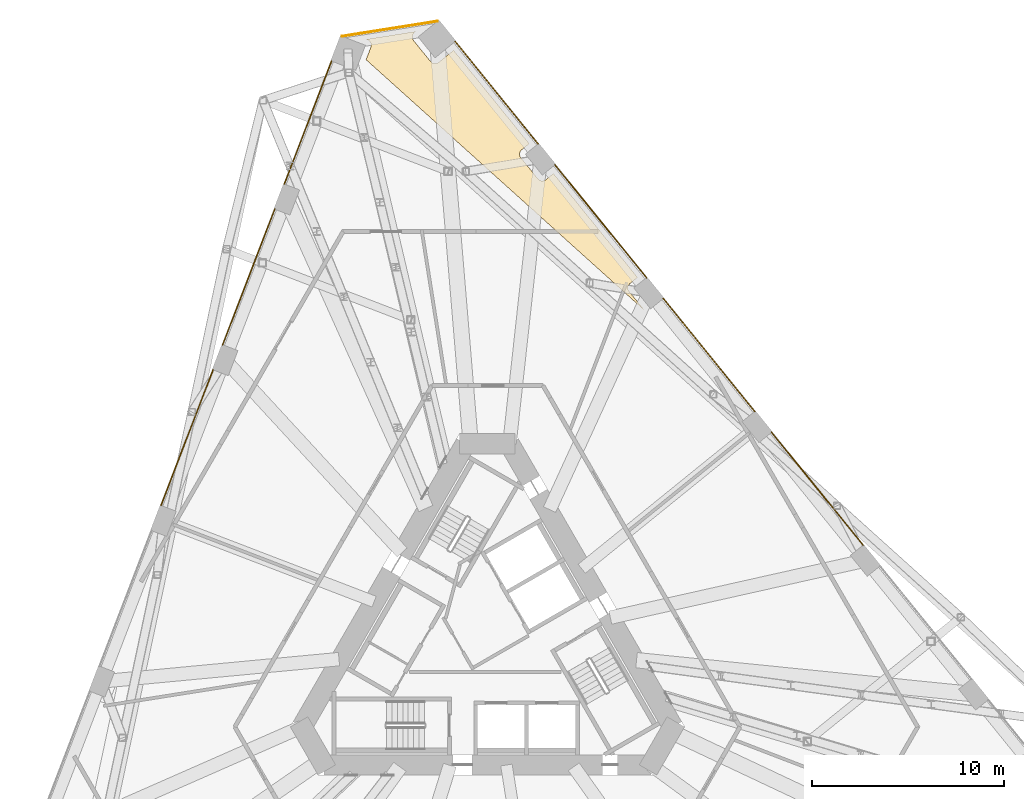
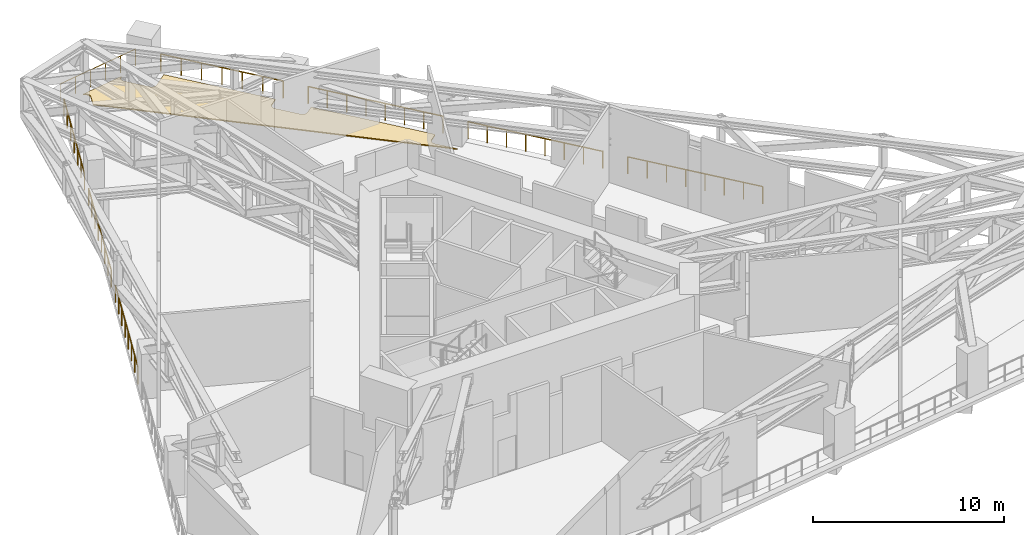
# One storey, part 20 of 20: 8 railings, 2 coverings.
"""IFC4 building model written with IfcOpenShell, lengths in metres."""

from ifc_helpers import new_model, si_unit, direction, frame, origin, origin_2d, place, context, subcontext, project, spatial, polyline, circle, outline, extrude, material, layer, layer_set, type_object, element, save


model = new_model("IFC4")

# Units and contexts
model_context = context("Model", 3, precision=1e-05, world=origin(), true_north=direction((0.0, 1.0)))
body_context = subcontext(model_context, "Body", "Model", "MODEL_VIEW")
ifc_project = project(units=[si_unit("LENGTHUNIT", "METRE"), si_unit("AREAUNIT", "SQUARE_METRE"), si_unit("VOLUMEUNIT", "CUBIC_METRE"), si_unit("PLANEANGLEUNIT", "RADIAN"), si_unit("MASSUNIT", "GRAM", prefix="KILO")], contexts=[model_context])

# Site, building, storey
site_placement = place(None, origin())
site = spatial("IfcSite", under=ifc_project, at=site_placement, CompositionType="ELEMENT")
building_placement = place(site_placement, origin())
building = spatial("IfcBuilding", under=site, at=building_placement, Name="Tramontana Tower", CompositionType="ELEMENT")
storey_placement = place(building_placement, frame((0.0, 0.0, 83.199951171875)))
storey = spatial("IfcBuildingStorey", under=building, at=storey_placement, Name="L18", CompositionType="ELEMENT", Elevation=83.199951171875)

# Railings
ifc_material_1 = material(Name="Stainless steel rail and posts", Category="steel")
railing_type = type_object("IfcRailingType", Name="GD2 Terrace guard 1100", PredefinedType="GUARDRAIL", material=ifc_material_1)
for number, where, name in (
    (1, (-14.268310546875, 14.31298828125, 0.0), "Edge guard L18 6"),
    (2, (-11.061279296875, 22.66748046875, 0.0), "Edge guard L18 8"),
):
    element("IfcRailing", number, at=place(storey_placement, frame(where)), inside=storey, type_object=railing_type, Name=name, PredefinedType="GUARDRAIL", context=body_context, shape_type="SweptSolid", body=[
        extrude(circle(Radius=0.02392578125, at=origin_2d()), frame((0.0, 0.0, 1.076171875), z_axis=(-0.358367862182, -0.933580460033, 0.0), x_axis=(0.933580460033, -0.358367862182, 0.0)), (0.0, 0.0, 1.0), 7.549072265625),
        extrude(circle(Radius=0.02099609375, at=origin_2d()), origin(), (0.0, 0.0, 1.0), 1.052001953125),
        extrude(circle(Radius=0.02099609375, at=origin_2d()), frame((-0.386474609375, -1.0068359375, 0.0)), (0.0, 0.0, 1.0), 1.052001953125),
        extrude(circle(Radius=0.02099609375, at=origin_2d()), frame((-0.77294921875, -2.013671875, 0.0)), (0.0, 0.0, 1.0), 1.052001953125),
        extrude(circle(Radius=0.02099609375, at=origin_2d()), frame((-1.159423828125, -3.0205078125, 0.0)), (0.0, 0.0, 1.0), 1.052001953125),
        extrude(circle(Radius=0.02099609375, at=origin_2d()), frame((-1.5458984375, -4.027099609375, 0.0)), (0.0, 0.0, 1.0), 1.052001953125),
        extrude(circle(Radius=0.02099609375, at=origin_2d()), frame((-1.932373046875, -5.033935546875, 0.0)), (0.0, 0.0, 1.0), 1.052001953125),
        extrude(circle(Radius=0.02099609375, at=origin_2d()), frame((-2.31884765625, -6.040771484375, 0.0)), (0.0, 0.0, 1.0), 1.052001953125),
        extrude(circle(Radius=0.02099609375, at=origin_2d()), frame((-2.705322265625, -7.047607421875, 0.0)), (0.0, 0.0, 1.0), 1.052001953125),
    ])
railing_1_placement = place(storey_placement, frame((-8.105224609375, 30.368408203125, 0.0)))
element("IfcRailing", 3, at=railing_1_placement, inside=storey, type_object=railing_type, Name="Edge guard L18 9", PredefinedType="GUARDRAIL", context=body_context, shape_type="SweptSolid", body=[
    extrude(circle(Radius=0.02392578125, at=origin_2d()), frame((0.0, 0.0, 1.076171875), z_axis=(-0.358355550725, -0.933585185864, 0.0), x_axis=(0.933585185864, -0.358355550725, 0.0)), (0.0, 0.0, 1.0), 6.848876953125),
    extrude(circle(Radius=0.02099609375, at=origin_2d()), origin(), (0.0, 0.0, 1.0), 1.052001953125),
    extrude(circle(Radius=0.02099609375, at=origin_2d()), frame((-0.4091796875, -1.065673828125, 0.0)), (0.0, 0.0, 1.0), 1.052001953125),
    extrude(circle(Radius=0.02099609375, at=origin_2d()), frame((-0.818115234375, -2.13134765625, 0.0)), (0.0, 0.0, 1.0), 1.052001953125),
    extrude(circle(Radius=0.02099609375, at=origin_2d()), frame((-1.22705078125, -3.197021484375, 0.0)), (0.0, 0.0, 1.0), 1.052001953125),
    extrude(circle(Radius=0.02099609375, at=origin_2d()), frame((-1.63623046875, -4.2626953125, 0.0)), (0.0, 0.0, 1.0), 1.052001953125),
    extrude(circle(Radius=0.02099609375, at=origin_2d()), frame((-2.04541015625, -5.328369140625, 0.0)), (0.0, 0.0, 1.0), 1.052001953125),
    extrude(circle(Radius=0.02099609375, at=origin_2d()), frame((-2.454345703125, -6.39404296875, 0.0)), (0.0, 0.0, 1.0), 1.052001953125),
])
railing_2_placement = place(storey_placement, frame((-2.595703125, 32.443359375, 0.0)))
element("IfcRailing", 4, at=railing_2_placement, inside=storey, type_object=railing_type, Name="Edge guard L18 10", PredefinedType="GUARDRAIL", context=body_context, shape_type="SweptSolid", body=[
    extrude(circle(Radius=0.02392578125, at=origin_2d()), frame((0.0, 0.0, 1.076171875), z_axis=(-0.987692322066, -0.156409324955, 0.0), x_axis=(0.156409324955, -0.987692322066, 0.0)), (0.0, 0.0, 1.0), 5.02294921875),
    extrude(circle(Radius=0.02099609375, at=origin_2d()), origin(), (0.0, 0.0, 1.0), 1.052001953125),
    extrude(circle(Radius=0.02099609375, at=origin_2d()), frame((-0.9921875, -0.1572265625, 0.0)), (0.0, 0.0, 1.0), 1.052001953125),
    extrude(circle(Radius=0.02099609375, at=origin_2d()), frame((-1.984375, -0.314208984375, 0.0)), (0.0, 0.0, 1.0), 1.052001953125),
    extrude(circle(Radius=0.02099609375, at=origin_2d()), frame((-2.976806640625, -0.471435546875, 0.0)), (0.0, 0.0, 1.0), 1.052001953125),
    extrude(circle(Radius=0.02099609375, at=origin_2d()), frame((-3.968994140625, -0.62841796875, 0.0)), (0.0, 0.0, 1.0), 1.052001953125),
    extrude(circle(Radius=0.02099609375, at=origin_2d()), frame((-4.961181640625, -0.78564453125, 0.0)), (0.0, 0.0, 1.0), 1.052001953125),
])
railing_3_placement = place(storey_placement, frame((2.63427734375, 26.064208984375, 0.0)))
element("IfcRailing", 5, at=railing_3_placement, inside=storey, type_object=railing_type, Name="Edge guard L18 12", PredefinedType="GUARDRAIL", context=body_context, shape_type="SweptSolid", body=[
    extrude(circle(Radius=0.02392578125, at=origin_2d()), frame((0.0, 0.0, 1.076171875), z_axis=(-0.62931820134, 0.777147734644, 0.0), x_axis=(-0.777147734644, -0.62931820134, 0.0)), (0.0, 0.0, 1.0), 6.848876953125),
    extrude(circle(Radius=0.02099609375, at=origin_2d()), origin(), (0.0, 0.0, 1.0), 1.052001953125),
    extrude(circle(Radius=0.02099609375, at=origin_2d()), frame((-0.71826171875, 0.88720703125, 0.0)), (0.0, 0.0, 1.0), 1.052001953125),
    extrude(circle(Radius=0.02099609375, at=origin_2d()), frame((-1.436767578125, 1.774169921875, 0.0)), (0.0, 0.0, 1.0), 1.052001953125),
    extrude(circle(Radius=0.02099609375, at=origin_2d()), frame((-2.155029296875, 2.6611328125, 0.0)), (0.0, 0.0, 1.0), 1.052001953125),
    extrude(circle(Radius=0.02099609375, at=origin_2d()), frame((-2.873291015625, 3.54833984375, 0.0)), (0.0, 0.0, 1.0), 1.052001953125),
    extrude(circle(Radius=0.02099609375, at=origin_2d()), frame((-3.591796875, 4.435546875, 0.0)), (0.0, 0.0, 1.0), 1.052001953125),
    extrude(circle(Radius=0.02099609375, at=origin_2d()), frame((-4.31005859375, 5.322509765625, 0.0)), (0.0, 0.0, 1.0), 1.052001953125),
])
railing_4_placement = place(storey_placement, frame((8.26611328125, 19.109619140625, 0.0)))
element("IfcRailing", 6, at=railing_4_placement, inside=storey, type_object=railing_type, Name="Edge guard L18 13", PredefinedType="GUARDRAIL", context=body_context, shape_type="SweptSolid", body=[
    extrude(circle(Radius=0.02392578125, at=origin_2d()), frame((0.0, 0.0, 1.076171875), z_axis=(-0.629318236282, 0.777147706349, 0.0), x_axis=(-0.777147706349, -0.629318236282, 0.0)), (0.0, 0.0, 1.0), 7.549072265625),
    extrude(circle(Radius=0.02099609375, at=origin_2d()), origin(), (0.0, 0.0, 1.0), 1.052001953125),
    extrude(circle(Radius=0.02099609375, at=origin_2d()), frame((-0.6787109375, 0.838134765625, 0.0)), (0.0, 0.0, 1.0), 1.052001953125),
    extrude(circle(Radius=0.02099609375, at=origin_2d()), frame((-1.357421875, 1.67626953125, 0.0)), (0.0, 0.0, 1.0), 1.052001953125),
    extrude(circle(Radius=0.02099609375, at=origin_2d()), frame((-2.0361328125, 2.514404296875, 0.0)), (0.0, 0.0, 1.0), 1.052001953125),
    extrude(circle(Radius=0.02099609375, at=origin_2d()), frame((-2.714599609375, 3.352294921875, 0.0)), (0.0, 0.0, 1.0), 1.052001953125),
    extrude(circle(Radius=0.02099609375, at=origin_2d()), frame((-3.393310546875, 4.1904296875, 0.0)), (0.0, 0.0, 1.0), 1.052001953125),
    extrude(circle(Radius=0.02099609375, at=origin_2d()), frame((-4.072021484375, 5.028564453125, 0.0)), (0.0, 0.0, 1.0), 1.052001953125),
    extrude(circle(Radius=0.02099609375, at=origin_2d()), frame((-4.750732421875, 5.86669921875, 0.0)), (0.0, 0.0, 1.0), 1.052001953125),
])
railing_5_placement = place(storey_placement, frame((13.897705078125, 12.155029296875, 0.0)))
element("IfcRailing", 7, at=railing_5_placement, inside=storey, type_object=railing_type, Name="Edge guard L18 15", PredefinedType="GUARDRAIL", context=body_context, shape_type="SweptSolid", body=[
    extrude(circle(Radius=0.02392578125, at=origin_2d()), frame((0.0, 0.0, 1.076171875), z_axis=(-0.62931452063, 0.777150715193, 0.0), x_axis=(-0.777150715193, -0.62931452063, 0.0)), (0.0, 0.0, 1.0), 7.548583984375),
    extrude(circle(Radius=0.02099609375, at=origin_2d()), origin(), (0.0, 0.0, 1.0), 1.052001953125),
    extrude(circle(Radius=0.02099609375, at=origin_2d()), frame((-0.6787109375, 0.838134765625, 0.0)), (0.0, 0.0, 1.0), 1.052001953125),
    extrude(circle(Radius=0.02099609375, at=origin_2d()), frame((-1.357177734375, 1.676025390625, 0.0)), (0.0, 0.0, 1.0), 1.052001953125),
    extrude(circle(Radius=0.02099609375, at=origin_2d()), frame((-2.035888671875, 2.51416015625, 0.0)), (0.0, 0.0, 1.0), 1.052001953125),
    extrude(circle(Radius=0.02099609375, at=origin_2d()), frame((-2.714599609375, 3.352294921875, 0.0)), (0.0, 0.0, 1.0), 1.052001953125),
    extrude(circle(Radius=0.02099609375, at=origin_2d()), frame((-3.393310546875, 4.1904296875, 0.0)), (0.0, 0.0, 1.0), 1.052001953125),
    extrude(circle(Radius=0.02099609375, at=origin_2d()), frame((-4.07177734375, 5.0283203125, 0.0)), (0.0, 0.0, 1.0), 1.052001953125),
    extrude(circle(Radius=0.02099609375, at=origin_2d()), frame((-4.75048828125, 5.866455078125, 0.0)), (0.0, 0.0, 1.0), 1.052001953125),
])
railing_6_placement = place(storey_placement, frame((19.529541015625, 5.200439453125, 0.0)))
element("IfcRailing", 8, at=railing_6_placement, inside=storey, type_object=railing_type, Name="Edge guard L18 17", PredefinedType="GUARDRAIL", context=body_context, shape_type="SweptSolid", body=[
    extrude(circle(Radius=0.02392578125, at=origin_2d()), frame((0.0, 0.0, 1.076171875), z_axis=(-0.629334053533, 0.777134897597, 0.0), x_axis=(-0.777134897597, -0.629334053533, 0.0)), (0.0, 0.0, 1.0), 7.548828125),
    extrude(circle(Radius=0.02099609375, at=origin_2d()), origin(), (0.0, 0.0, 1.0), 1.052001953125),
    extrude(circle(Radius=0.02099609375, at=origin_2d()), frame((-0.6787109375, 0.838134765625, 0.0)), (0.0, 0.0, 1.0), 1.052001953125),
    extrude(circle(Radius=0.02099609375, at=origin_2d()), frame((-1.357421875, 1.676025390625, 0.0)), (0.0, 0.0, 1.0), 1.052001953125),
    extrude(circle(Radius=0.02099609375, at=origin_2d()), frame((-2.0361328125, 2.51416015625, 0.0)), (0.0, 0.0, 1.0), 1.052001953125),
    extrude(circle(Radius=0.02099609375, at=origin_2d()), frame((-2.714599609375, 3.352294921875, 0.0)), (0.0, 0.0, 1.0), 1.052001953125),
    extrude(circle(Radius=0.02099609375, at=origin_2d()), frame((-3.393310546875, 4.1904296875, 0.0)), (0.0, 0.0, 1.0), 1.052001953125),
    extrude(circle(Radius=0.02099609375, at=origin_2d()), frame((-4.072021484375, 5.0283203125, 0.0)), (0.0, 0.0, 1.0), 1.052001953125),
    extrude(circle(Radius=0.02099609375, at=origin_2d()), frame((-4.750732421875, 5.866455078125, 0.0)), (0.0, 0.0, 1.0), 1.052001953125),
])

# Coverings
ifc_material_2 = material(Name="Limestone paving 60", Category="masonry")
ifc_layer_1 = layer(ifc_material_2, 0.06005859375)
ifc_layer_set_1 = layer_set([ifc_layer_1], Name="PV1 Terrace paving 60")
covering_type_1 = type_object("IfcCoveringType", Name="PV1 Terrace paving 60", PredefinedType="FLOORING", material=ifc_layer_set_1)
covering_1_placement = place(storey_placement, frame((0.0, 0.0, 0.010009765625)))
element("IfcCovering", 9, at=covering_1_placement, inside=storey, type_object=covering_type_1, Name="Terrace paving L18 1", PredefinedType="FLOORING", context=body_context, shape_type="SweptSolid", body=[
    extrude(outline(polyline([(-3.732421875, 31.908935546875), (-3.794921875, 31.8583984375), (-3.81689453125, 31.8388671875), (-3.836669921875, 31.817138671875), (-3.8544921875, 31.79345703125), (-3.86962890625, 31.768310546875), (-3.88232421875, 31.741943359375), (-3.892578125, 31.714111328125), (-3.89990234375, 31.685791015625), (-3.904296875, 31.656494140625), (-3.906005859375, 31.627197265625), (-3.90478515625, 31.597900390625), (-3.900634765625, 31.568603515625), (-3.893798828125, 31.5400390625), (-3.884033203125, 31.51220703125), (-3.87158203125, 31.485595703125), (-3.8564453125, 31.460205078125), (-3.839111328125, 31.4365234375), (-2.958251953125, 30.348388671875), (-2.9384765625, 30.326416015625), (-2.916748046875, 30.306640625), (-2.893310546875, 30.288818359375), (-2.8681640625, 30.273681640625), (-2.841552734375, 30.2607421875), (-2.81396484375, 30.250732421875), (-2.785400390625, 30.243408203125), (-2.75634765625, 30.23876953125), (-2.72705078125, 30.2373046875), (-2.697509765625, 30.238525390625), (-2.66845703125, 30.24267578125), (-2.639892578125, 30.24951171875), (-2.612060546875, 30.25927734375), (-2.585205078125, 30.271728515625), (-2.56005859375, 30.28662109375), (-2.5361328125, 30.30419921875), (-1.759033203125, 30.933349609375), (2.173583984375, 26.0771484375), (1.784912109375, 25.762451171875), (1.762939453125, 25.742919921875), (1.7431640625, 25.72119140625), (1.725341796875, 25.697509765625), (1.710205078125, 25.67236328125), (1.697265625, 25.64599609375), (1.687255859375, 25.6181640625), (1.679931640625, 25.58984375), (1.67529296875, 25.560546875), (1.673828125, 25.53125), (1.675048828125, 25.501953125), (1.67919921875, 25.47265625), (1.68603515625, 25.444091796875), (1.69580078125, 25.416259765625), (1.708251953125, 25.3896484375), (1.72314453125, 25.3642578125), (1.74072265625, 25.340576171875), (2.62158203125, 24.25244140625), (2.641357421875, 24.23046875), (2.6630859375, 24.210693359375), (2.6865234375, 24.19287109375), (2.711669921875, 24.177734375), (2.73828125, 24.164794921875), (2.765869140625, 24.15478515625), (2.79443359375, 24.1474609375), (2.823486328125, 24.142822265625), (2.852783203125, 24.141357421875), (2.88232421875, 24.142578125), (2.911376953125, 24.146728515625), (2.93994140625, 24.153564453125), (2.9677734375, 24.163330078125), (2.994384765625, 24.17578125), (3.019775390625, 24.190673828125), (3.043701171875, 24.208251953125), (3.43212890625, 24.522705078125), (7.80517578125, 19.12255859375), (7.416748046875, 18.807861328125), (7.394775390625, 18.7880859375), (7.374755859375, 18.7666015625), (7.357177734375, 18.742919921875), (7.341796875, 18.7177734375), (7.3291015625, 18.691162109375), (7.319091796875, 18.66357421875), (7.311767578125, 18.635009765625), (7.30712890625, 18.60595703125), (7.305419921875, 18.57666015625), (7.306640625, 18.547119140625), (7.310791015625, 18.51806640625), (7.31787109375, 18.489501953125), (7.32763671875, 18.461669921875), (7.340087890625, 18.43505859375), (7.35498046875, 18.40966796875), (7.372314453125, 18.385986328125), (8.16259765625, 17.409912109375), (-6.31005859375, 30.441162109375), (-6.063232421875, 31.084228515625), (-6.053955078125, 31.1123046875), (-6.047607421875, 31.140869140625), (-6.0439453125, 31.170166015625), (-6.043212890625, 31.199462890625), (-6.04541015625, 31.22900390625), (-6.050537109375, 31.258056640625), (-6.05859375, 31.286376953125), (-6.069091796875, 31.313720703125), (-6.08251953125, 31.340087890625), (-6.09814453125, 31.364990234375), (-6.116455078125, 31.387939453125), (-6.13671875, 31.409423828125), (-6.158935546875, 31.428466796875), (-6.18310546875, 31.445556640625), (-6.208740234375, 31.4599609375), (-6.235595703125, 31.4716796875), (-6.310791015625, 31.50048828125), (-3.732421875, 31.908935546875)])), origin(), (0.0, 0.0, 1.0), 0.06005859375),
])
ifc_material_3 = material(Name="Bituminous waterproofing membrane")
ifc_layer_2 = layer(ifc_material_3, 0.010009765625)
ifc_layer_set_2 = layer_set([ifc_layer_2], Name="WP1 Terrace waterproofing membrane 10")
covering_type_2 = type_object("IfcCoveringType", Name="WP1 Terrace waterproofing membrane 10", PredefinedType="MEMBRANE", material=ifc_layer_set_2)
covering_2_placement = place(storey_placement, origin())
element("IfcCovering", 10, at=covering_2_placement, inside=storey, type_object=covering_type_2, Name="Terrace membrane L18 1", PredefinedType="MEMBRANE", context=body_context, shape_type="SweptSolid", body=[
    extrude(outline(polyline([(-3.732421875, 31.908935546875), (-3.794921875, 31.8583984375), (-3.81689453125, 31.8388671875), (-3.836669921875, 31.817138671875), (-3.8544921875, 31.79345703125), (-3.86962890625, 31.768310546875), (-3.88232421875, 31.741943359375), (-3.892578125, 31.714111328125), (-3.89990234375, 31.685791015625), (-3.904296875, 31.656494140625), (-3.906005859375, 31.627197265625), (-3.90478515625, 31.597900390625), (-3.900634765625, 31.568603515625), (-3.893798828125, 31.5400390625), (-3.884033203125, 31.51220703125), (-3.87158203125, 31.485595703125), (-3.8564453125, 31.460205078125), (-3.839111328125, 31.4365234375), (-2.958251953125, 30.348388671875), (-2.9384765625, 30.326416015625), (-2.916748046875, 30.306640625), (-2.893310546875, 30.288818359375), (-2.8681640625, 30.273681640625), (-2.841552734375, 30.2607421875), (-2.81396484375, 30.250732421875), (-2.785400390625, 30.243408203125), (-2.75634765625, 30.23876953125), (-2.72705078125, 30.2373046875), (-2.697509765625, 30.238525390625), (-2.66845703125, 30.24267578125), (-2.639892578125, 30.24951171875), (-2.612060546875, 30.25927734375), (-2.585205078125, 30.271728515625), (-2.56005859375, 30.28662109375), (-2.5361328125, 30.30419921875), (-1.759033203125, 30.933349609375), (2.173583984375, 26.0771484375), (1.784912109375, 25.762451171875), (1.762939453125, 25.742919921875), (1.7431640625, 25.72119140625), (1.725341796875, 25.697509765625), (1.710205078125, 25.67236328125), (1.697265625, 25.64599609375), (1.687255859375, 25.6181640625), (1.679931640625, 25.58984375), (1.67529296875, 25.560546875), (1.673828125, 25.53125), (1.675048828125, 25.501953125), (1.67919921875, 25.47265625), (1.68603515625, 25.444091796875), (1.69580078125, 25.416259765625), (1.708251953125, 25.3896484375), (1.72314453125, 25.3642578125), (1.74072265625, 25.340576171875), (2.62158203125, 24.25244140625), (2.641357421875, 24.23046875), (2.6630859375, 24.210693359375), (2.6865234375, 24.19287109375), (2.711669921875, 24.177734375), (2.73828125, 24.164794921875), (2.765869140625, 24.15478515625), (2.79443359375, 24.1474609375), (2.823486328125, 24.142822265625), (2.852783203125, 24.141357421875), (2.88232421875, 24.142578125), (2.911376953125, 24.146728515625), (2.93994140625, 24.153564453125), (2.9677734375, 24.163330078125), (2.994384765625, 24.17578125), (3.019775390625, 24.190673828125), (3.043701171875, 24.208251953125), (3.43212890625, 24.522705078125), (7.80517578125, 19.12255859375), (7.416748046875, 18.807861328125), (7.394775390625, 18.7880859375), (7.374755859375, 18.7666015625), (7.357177734375, 18.742919921875), (7.341796875, 18.7177734375), (7.3291015625, 18.691162109375), (7.319091796875, 18.66357421875), (7.311767578125, 18.635009765625), (7.30712890625, 18.60595703125), (7.305419921875, 18.57666015625), (7.306640625, 18.547119140625), (7.310791015625, 18.51806640625), (7.31787109375, 18.489501953125), (7.32763671875, 18.461669921875), (7.340087890625, 18.43505859375), (7.35498046875, 18.40966796875), (7.372314453125, 18.385986328125), (8.16259765625, 17.409912109375), (-6.31005859375, 30.441162109375), (-6.063232421875, 31.084228515625), (-6.053955078125, 31.1123046875), (-6.047607421875, 31.140869140625), (-6.0439453125, 31.170166015625), (-6.043212890625, 31.199462890625), (-6.04541015625, 31.22900390625), (-6.050537109375, 31.258056640625), (-6.05859375, 31.286376953125), (-6.069091796875, 31.313720703125), (-6.08251953125, 31.340087890625), (-6.09814453125, 31.364990234375), (-6.116455078125, 31.387939453125), (-6.13671875, 31.409423828125), (-6.158935546875, 31.428466796875), (-6.18310546875, 31.445556640625), (-6.208740234375, 31.4599609375), (-6.235595703125, 31.4716796875), (-6.310791015625, 31.50048828125), (-3.732421875, 31.908935546875)])), origin(), (0.0, 0.0, 1.0), 0.010009765625),
])

save(model, "model.ifc")
